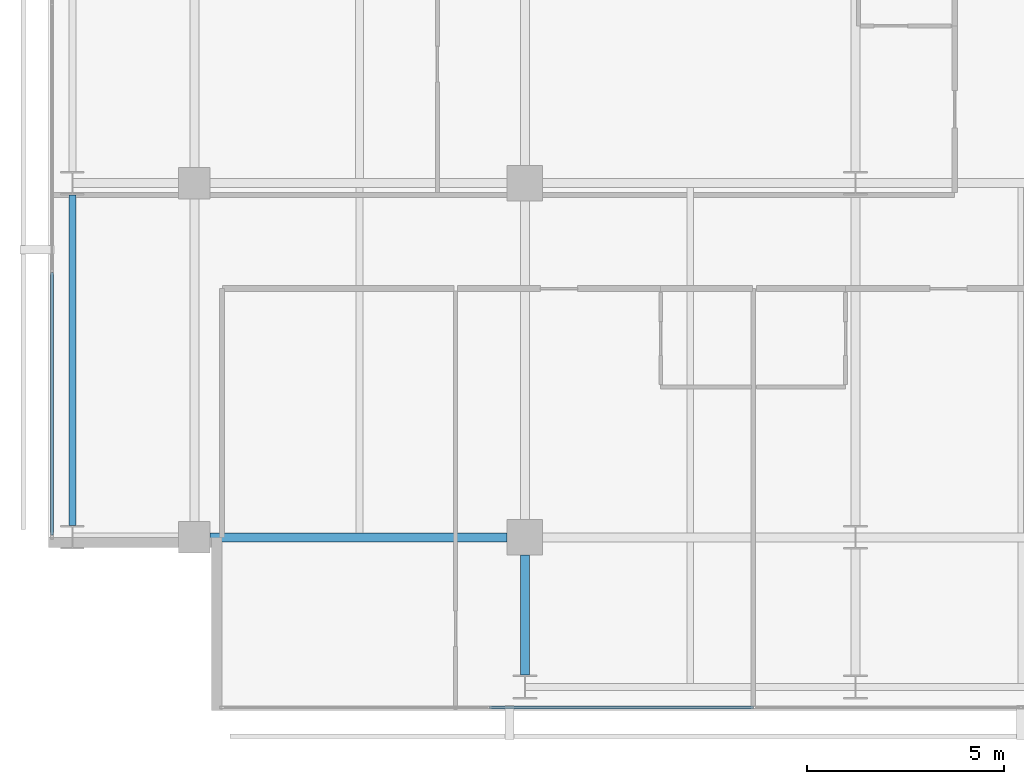
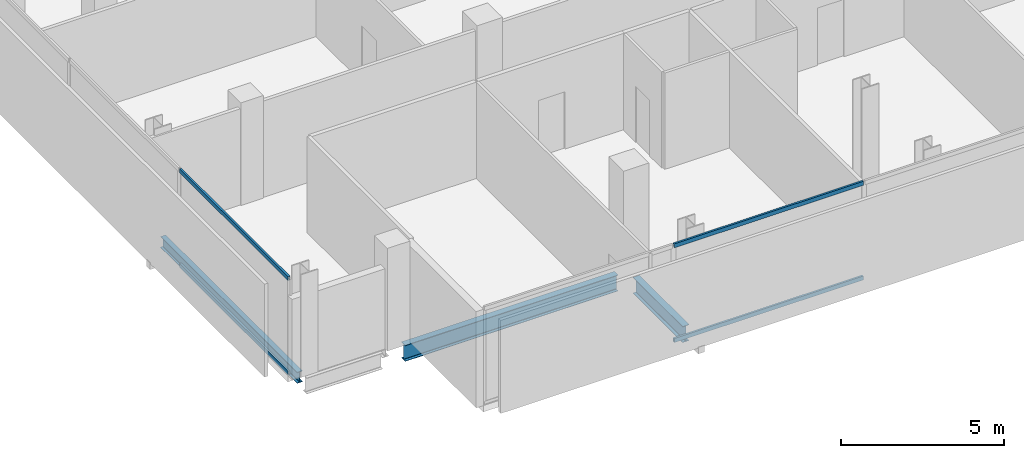
# One storey, part 3 of 32: 4 members, 3 beams, 2 elements without a shape of their own.
"""IFC4 building model written with IfcOpenShell, lengths in metres."""

from ifc_helpers import new_model, si_unit, direction, frame, origin, origin_2d, place, context, subcontext, project, spatial, hollow_rectangle, i_section, extrude, material, layer, layer_set, material_profile, profile_set, type_object, element, aggregate, save


model = new_model("IFC4")

# Units and contexts
model_context = context("Model", 3, precision=1e-05, world=origin(), true_north=direction((0.0, 1.0)))
body_context = subcontext(model_context, "Body", "Model", "MODEL_VIEW")
ifc_project = project(units=[si_unit("LENGTHUNIT", "METRE"), si_unit("AREAUNIT", "SQUARE_METRE"), si_unit("VOLUMEUNIT", "CUBIC_METRE"), si_unit("PLANEANGLEUNIT", "RADIAN"), si_unit("MASSUNIT", "GRAM", prefix="KILO")], contexts=[model_context])

# Site, building, storey
site_placement = place(None, origin())
site = spatial("IfcSite", under=ifc_project, at=site_placement, CompositionType="ELEMENT")
building_placement = place(site_placement, origin())
building = spatial("IfcBuilding", under=site, at=building_placement, Name="Maruvema Waterfront Hotel and Observation Tower", CompositionType="ELEMENT")
storey_placement = place(building_placement, frame((0.0, 0.0, 162.050048828125)))
storey = spatial("IfcBuildingStorey", under=building, at=storey_placement, Name="L39", CompositionType="ELEMENT", Elevation=162.050048828125)

# Curtain wall, members
ifc_material_1 = material(Name="Anodised bronze aluminium and solar-control low-E IGU", Category="aluminium")
ifc_layer = layer(ifc_material_1, 0.159912109375, Name="Zone 2 Amber Inner Thermal Curtain Wall System CW-03")
ifc_layer_set = layer_set([ifc_layer], Name="Anodised bronze aluminium and solar-control low-E IGU")
curtain_wall_type = type_object("IfcCurtainWallType", Name="Zone 2 Amber Inner Thermal Curtain Wall System CW-03", PredefinedType="USERDEFINED", material=ifc_layer_set)
curtain_wall_1_placement = place(storey_placement, origin())
curtain_wall_1 = element("IfcCurtainWall", 1, at=curtain_wall_1_placement, inside=storey, type_object=curtain_wall_type, Name="L39 Curtain Wall CW-L39-S", ObjectType="UNITISED CURTAIN WALL", PredefinedType="USERDEFINED")
ifc_material_2 = material(Name="Anodised architectural bronze aluminium", Category="aluminium")
ifc_material_profile_1 = material_profile(ifc_material_2, hollow_rectangle(XDim=0.070068359375, YDim=0.14990234375, WallThickness=0.00390625, at=origin_2d()), Name="ALU-T70x150")
ifc_profile_set_1 = profile_set([ifc_material_profile_1], Name="Anodised architectural bronze aluminium")
member_type = type_object("IfcMemberType", Name="Curtain Wall Horizontal Transom ALU-T70x150", PredefinedType="USERDEFINED", material=ifc_profile_set_1)
member_1_placement = place(storey_placement, frame((24.296630859375, 4.679931640625, 0.030029296875), z_axis=(1.0, 0.0, 0.0), x_axis=(0.0, 1.0, 0.0)))
member_1 = element("IfcMember", 2, at=member_1_placement, type_object=member_type, Name="CW-03 transom 2.1", ObjectType="TRANSOM", PredefinedType="USERDEFINED", context=body_context, shape_type="SweptSolid", body=[
    extrude(hollow_rectangle(XDim=0.070068359375, YDim=0.14990234375, WallThickness=0.00390625, at=origin_2d()), origin(), (0.0, 0.0, 1.0), 6.706787109375),
])
member_2_placement = place(storey_placement, frame((24.296630859375, 4.679931640625, 3.579833984375), z_axis=(1.0, 0.0, 0.0), x_axis=(0.0, 1.0, 0.0)))
member_2 = element("IfcMember", 3, at=member_2_placement, type_object=member_type, Name="CW-03 transom 2.2", ObjectType="TRANSOM", PredefinedType="USERDEFINED", context=body_context, shape_type="SweptSolid", body=[
    extrude(hollow_rectangle(XDim=0.070068359375, YDim=0.14990234375, WallThickness=0.00390625, at=origin_2d()), origin(), (0.0, 0.0, 1.0), 6.706787109375),
])
aggregate(curtain_wall_1, [member_1, member_2])

curtain_wall_2_placement = place(storey_placement, origin())
curtain_wall_2 = element("IfcCurtainWall", 4, at=curtain_wall_2_placement, inside=storey, type_object=curtain_wall_type, Name="L39 Curtain Wall CW-L39-W", ObjectType="UNITISED CURTAIN WALL", PredefinedType="USERDEFINED")
member_3_placement = place(storey_placement, frame((13.179931640625, 15.736572265625, 0.030029296875), z_axis=(0.0, -1.0, 0.0), x_axis=(1.0, 0.0, 0.0)))
member_3 = element("IfcMember", 5, at=member_3_placement, type_object=member_type, Name="CW-03 transom 6.1", ObjectType="TRANSOM", PredefinedType="USERDEFINED", context=body_context, shape_type="SweptSolid", body=[
    extrude(hollow_rectangle(XDim=0.070068359375, YDim=0.14990234375, WallThickness=0.00390625, at=origin_2d()), origin(), (0.0, 0.0, 1.0), 6.676513671875),
])
member_4_placement = place(storey_placement, frame((13.179931640625, 15.736572265625, 3.579833984375), z_axis=(0.0, -1.0, 0.0), x_axis=(1.0, 0.0, 0.0)))
member_4 = element("IfcMember", 6, at=member_4_placement, type_object=member_type, Name="CW-03 transom 6.2", ObjectType="TRANSOM", PredefinedType="USERDEFINED", context=body_context, shape_type="SweptSolid", body=[
    extrude(hollow_rectangle(XDim=0.070068359375, YDim=0.14990234375, WallThickness=0.00390625, at=origin_2d()), origin(), (0.0, 0.0, 1.0), 6.676513671875),
])
aggregate(curtain_wall_2, [member_3, member_4])

# Beams
ifc_material_3 = material(Name="Steel ASTM A572 Grade 50", Category="steel")
ifc_material_profile_2 = material_profile(ifc_material_3, i_section(OverallWidth=0.180908203125, OverallDepth=0.4169921875, WebThickness=0.010986328125, FlangeThickness=0.018310546875, FilletRadius=0.014892578125, at=origin_2d()), Name="W410x85.0")
ifc_profile_set_2 = profile_set([ifc_material_profile_2], Name="Steel ASTM A572 Grade 50")
beam_type_1 = type_object("IfcBeamType", Name="Perimeter Spandrel Beam W410x85.0", PredefinedType="SPANDREL", material=ifc_profile_set_2)
beam_1_placement = place(storey_placement, frame((13.699951171875, 9.300048828125, -0.448486328125), z_axis=(0.0, 1.0, 0.0), x_axis=(-1.0, 0.0, 0.0)))
element("IfcBeam", 7, at=beam_1_placement, inside=storey, type_object=beam_type_1, Name="L39 Floor Girder NS-01", PredefinedType="SPANDREL", context=body_context, shape_type="SweptSolid", body=[
    extrude(i_section(OverallWidth=0.180908203125, OverallDepth=0.4169921875, WebThickness=0.010986328125, FlangeThickness=0.018310546875, FilletRadius=0.014892578125, at=origin_2d()), origin(), (0.0, 0.0, 1.0), 8.39990234375),
])
ifc_material_4 = material(Name="Steel ASTM A572 Grade 50", Category="steel")
ifc_material_profile_3 = material_profile(ifc_material_4, i_section(OverallWidth=0.22802734375, OverallDepth=0.60302734375, WebThickness=0.010498046875, FlangeThickness=0.014892578125, FilletRadius=0.01806640625, at=origin_2d()), Name="W610x101.0")
ifc_profile_set_3 = profile_set([ifc_material_profile_3], Name="Steel ASTM A572 Grade 50")
beam_type_2 = type_object("IfcBeamType", Name="Primary Floor Girder W610x101.0", PredefinedType="BEAM", material=ifc_profile_set_3)
beam_2_placement = place(storey_placement, frame((17.199951171875, 9.0, -0.54150390625), z_axis=(1.0, 0.0, 0.0), x_axis=(0.0, 1.0, 0.0)))
element("IfcBeam", 8, at=beam_2_placement, inside=storey, type_object=beam_type_2, Name="L39 Floor Girder EW-05", PredefinedType="BEAM", context=body_context, shape_type="SweptSolid", body=[
    extrude(i_section(OverallWidth=0.22802734375, OverallDepth=0.60302734375, WebThickness=0.010498046875, FlangeThickness=0.014892578125, FilletRadius=0.01806640625, at=origin_2d()), origin(), (0.0, 0.0, 1.0), 7.550048828125),
])
beam_3_placement = place(storey_placement, frame((25.199951171875, 5.5, -0.54150390625), z_axis=(0.0, 1.0, 0.0), x_axis=(-1.0, 0.0, 0.0)))
element("IfcBeam", 9, at=beam_3_placement, inside=storey, type_object=beam_type_2, Name="L39 Floor Girder NS-09", PredefinedType="BEAM", context=body_context, shape_type="SweptSolid", body=[
    extrude(i_section(OverallWidth=0.22802734375, OverallDepth=0.60302734375, WebThickness=0.010498046875, FlangeThickness=0.014892578125, FilletRadius=0.01806640625, at=origin_2d()), origin(), (0.0, 0.0, 1.0), 3.050048828125),
])

save(model, "model.ifc")
